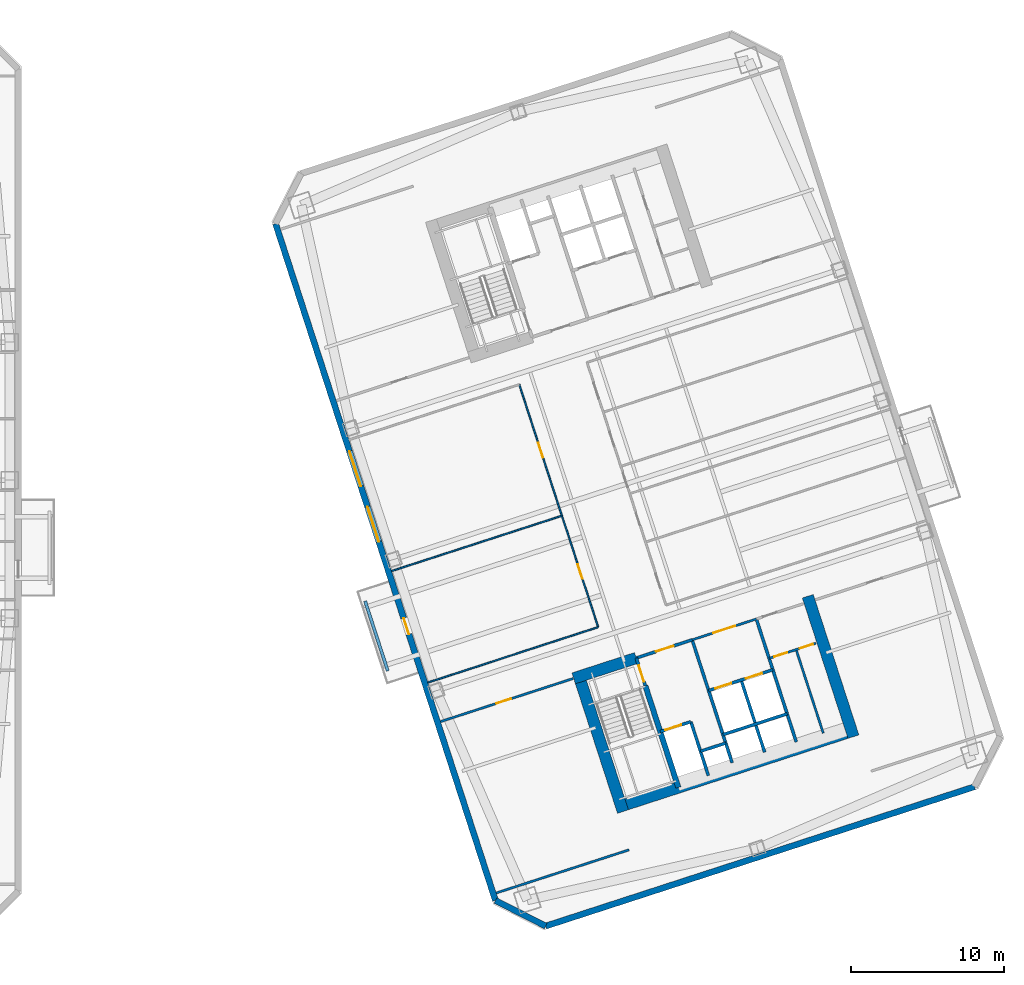
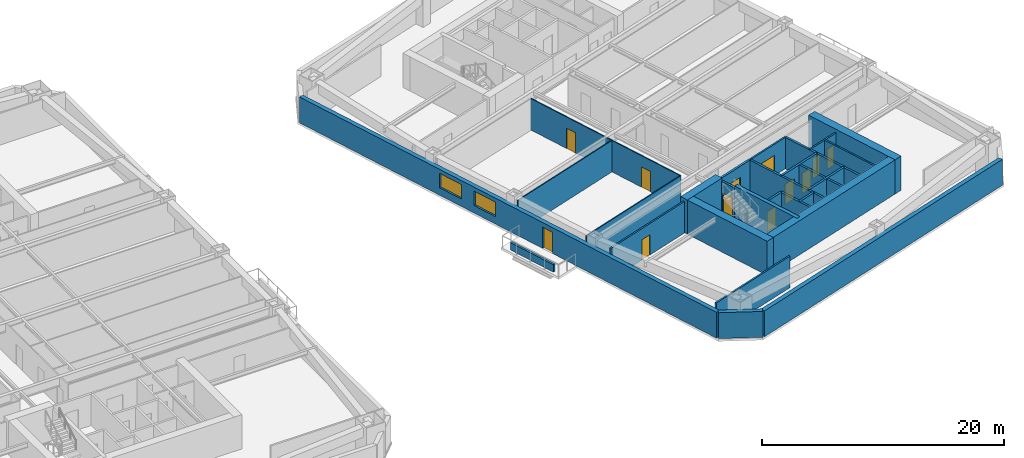
# One storey, part 8 of 15: 27 walls, 12 doors, 2 windows, 14 openings.
"""IFC4 building model written with IfcOpenShell, lengths in metres."""

from ifc_helpers import new_model, si_unit, direction, frame, frame_2d, origin, place, context, subcontext, project, spatial, rectangle, extrude, material, layer, layer_set, type_object, element, fill, save


model = new_model("IFC4")

# Units and contexts
model_context = context("Model", 3, precision=1e-05, world=origin(), true_north=direction((0.0, 1.0)))
body_context = subcontext(model_context, "Body", "Model", "MODEL_VIEW")
ifc_project = project(units=[si_unit("LENGTHUNIT", "METRE"), si_unit("AREAUNIT", "SQUARE_METRE"), si_unit("VOLUMEUNIT", "CUBIC_METRE"), si_unit("PLANEANGLEUNIT", "RADIAN"), si_unit("MASSUNIT", "GRAM", prefix="KILO")], contexts=[model_context])

# Site, building, storey
site_placement = place(None, origin())
site = spatial("IfcSite", under=ifc_project, at=site_placement, CompositionType="ELEMENT")
building_placement = place(site_placement, origin())
building = spatial("IfcBuilding", under=site, at=building_placement, Name="Qiaolan Cultural Towers", CompositionType="ELEMENT")
storey_placement = place(building_placement, frame((0.0, 0.0, 81.64990234375)))
storey = spatial("IfcBuildingStorey", under=building, at=storey_placement, Name="L20", CompositionType="ELEMENT", Elevation=81.64990234375)

# Walls
ifc_material_1 = material(Name="Concrete C50", Category="concrete")
ifc_layer_1 = layer(ifc_material_1, 0.35009765625)
ifc_layer_set_1 = layer_set([ifc_layer_1], Name="Concrete C50")
wall_type_1 = type_object("IfcWallType", Name="WL-CORE-350", PredefinedType="SHEAR", material=ifc_layer_set_1)
wall_1_placement = place(storey_placement, frame((90.486328125, 20.59423828125, 0.0), z_axis=(0.0, 0.0, 1.0), x_axis=(0.309020428229, -0.951055400562, 0.0)))
element("IfcWall", 1, at=wall_1_placement, inside=storey, type_object=wall_type_1, Name="L20 T2-CS Stair Core Dividing Web", PredefinedType="SHEAR", context=body_context, shape_type="SweptSolid", body=[
    extrude(rectangle(XDim=6.97998046875, YDim=0.35009765625, at=frame_2d((3.489990234375, 0.0))), origin(), (0.0, 0.0, 1.0), 3.4501953125),
])
ifc_material_2 = material(Name="Concrete C60", Category="concrete")
ifc_layer_2 = layer(ifc_material_2, 0.75)
ifc_layer_set_2 = layer_set([ifc_layer_2], Name="Concrete C60")
wall_type_2 = type_object("IfcWallType", Name="WL-CORE-750", PredefinedType="SHEAR", material=ifc_layer_set_2)
wall_2_placement = place(storey_placement, frame((88.55859375, 12.628662109375, 0.0), z_axis=(0.0, 0.0, 1.0), x_axis=(0.951056072937, 0.309018358888, 0.0)))
element("IfcWall", 2, at=wall_2_placement, inside=storey, type_object=wall_type_2, Name="L20 T2-CS Outer Core Shear Wall", PredefinedType="SHEAR", context=body_context, shape_type="SweptSolid", body=[
    extrude(rectangle(XDim=16.550048828125, YDim=0.75, at=frame_2d((8.27490234375, 0.0))), origin(), (0.0, 0.0, 1.0), 3.4501953125),
])
wall_3_placement = place(storey_placement, frame((86.05517578125, 21.54638671875, 0.0), z_axis=(0.0, 0.0, 1.0), x_axis=(0.309023585745, -0.951054374604, 0.0)))
element("IfcWall", 3, at=wall_3_placement, inside=storey, type_object=wall_type_2, Name="L20 T2-CS West Core Shear Wall", PredefinedType="SHEAR", context=body_context, shape_type="SweptSolid", body=[
    extrude(rectangle(XDim=9.6298828125, YDim=0.75, at=frame_2d((4.81494140625, 0.0))), origin(), (0.0, 0.0, 1.0), 3.4501953125),
])
wall_4_placement = place(storey_placement, frame((101.08203125, 26.428955078125, 0.0), z_axis=(0.0, 0.0, 1.0), x_axis=(0.309016134813, -0.951056795583, 0.0)))
element("IfcWall", 4, at=wall_4_placement, inside=storey, type_object=wall_type_2, Name="L20 T2-CS East Core Shear Wall", PredefinedType="SHEAR", context=body_context, shape_type="SweptSolid", body=[
    extrude(rectangle(XDim=9.630126953125, YDim=0.75, at=frame_2d((4.81494140625, 0.0))), origin(), (0.0, 0.0, 1.0), 3.4501953125),
])
wall_5_placement = place(storey_placement, frame((85.814453125, 21.073974609375, 0.0), z_axis=(0.0, 0.0, 1.0), x_axis=(0.95106580992, 0.308988390074, 0.0)))
element("IfcWall", 5, at=wall_5_placement, inside=storey, type_object=wall_type_2, Name="L20 T2-CS Stair Front Shear Wall", PredefinedType="SHEAR", context=body_context, shape_type="SweptSolid", body=[
    extrude(rectangle(XDim=4.295166015625, YDim=0.75, at=frame_2d((2.1474609375, 0.0))), origin(), (0.0, 0.0, 1.0), 3.4501953125),
])

# Wall, openings, door, windows
ifc_material_3 = material(Name="Precast Concrete C50 Honed Stone Pier", Category="masonry")
ifc_layer_3 = layer(ifc_material_3, 0.39990234375)
ifc_layer_set_3 = layer_set([ifc_layer_3], Name="Precast Concrete C50 Honed Stone Pier")
wall_type_3 = type_object("IfcWallType", Name="WL-EXT-PIER-400", PredefinedType="SOLIDWALL", material=ifc_layer_set_3)
wall_6_placement = place(storey_placement, frame((80.7158203125, 6.589599609375, 0.0), z_axis=(0.0, 0.0, 1.0), x_axis=(-0.309017542002, 0.95105633836, 0.0)))
wall_6 = element("IfcWall", 6, at=wall_6_placement, inside=storey, type_object=wall_type_3, Name="L20 East Tower Precast Pier Facade Wall F1", PredefinedType="SOLIDWALL", context=body_context, shape_type="SweptSolid", body=[
    extrude(rectangle(XDim=46.39990234375, YDim=0.39990234375, at=frame_2d((23.199951171875, 0.0))), origin(), (0.0, 0.0, 1.0), 2.610107421875),
])
opening_1_placement = place(wall_6_placement, frame((24.60009765625, 0.0, 0.75)))
opening_1 = element("IfcOpeningElement", 7, at=opening_1_placement, cuts=wall_6, Name="Opening W-02", PredefinedType="OPENING", context=body_context, shape_type="SweptSolid", body=[
    extrude(rectangle(XDim=2.39990234375, YDim=1.4599609375, at=frame_2d((1.199951171875, 0.72998046875))), frame((0.0, 0.2099609375, 0.0), z_axis=(0.0, -1.0, 0.0), x_axis=(1.0, 0.0, 0.0)), (0.0, 0.0, 1.0), 0.419921875),
])
opening_2_placement = place(wall_6_placement, frame((28.39990234375, 0.0, 0.75)))
opening_2 = element("IfcOpeningElement", 8, at=opening_2_placement, cuts=wall_6, Name="Opening W-02", PredefinedType="OPENING", context=body_context, shape_type="SweptSolid", body=[
    extrude(rectangle(XDim=2.39990234375, YDim=1.4599609375, at=frame_2d((1.199951171875, 0.72998046875))), frame((0.0, 0.2099609375, 0.0), z_axis=(0.0, -1.0, 0.0), x_axis=(1.0, 0.0, 0.0)), (0.0, 0.0, 1.0), 0.419921875),
])
opening_3_placement = place(wall_6_placement, frame((18.25, 0.0, 0.0)))
opening_3 = element("IfcOpeningElement", 9, at=opening_3_placement, cuts=wall_6, Name="Opening BD-01", PredefinedType="OPENING", context=body_context, shape_type="SweptSolid", body=[
    extrude(rectangle(XDim=1.10009765625, YDim=2.14990234375, at=frame_2d((0.550048828125, 1.074951171875))), frame((0.0, 0.2099609375, 0.0), z_axis=(0.0, -1.0, 0.0), x_axis=(1.0, 0.0, 0.0)), (0.0, 0.0, 1.0), 0.419921875),
])
ifc_material_4 = material(Name="Thermally Broken Aluminium Glazed Terrace Door", Category="aluminium")
door_type_1 = type_object("IfcDoorType", Name="DR-BAL-1100", OperationType="NOTDEFINED", PredefinedType="DOOR", material=ifc_material_4)
door_1_placement = place(opening_3_placement, origin())
door_1 = element("IfcDoor", 10, at=door_1_placement, inside=storey, type_object=door_type_1, Name="L20 T2 West Tree Balcony Door", OperationType="SINGLE_SWING_LEFT", OverallHeight=2.14990234375, OverallWidth=1.10009765625, PredefinedType="DOOR", context=body_context, shape_type="SweptSolid", body=[
    extrude(rectangle(XDim=1.10009765625, YDim=2.14990234375, at=frame_2d((0.550048828125, 1.074951171875))), frame((0.0, 0.02490234375, 0.0), z_axis=(0.0, -1.0, 0.0), x_axis=(1.0, 0.0, 0.0)), (0.0, 0.0, 1.0), 0.050048828125),
])
fill(opening_3, door_1)
ifc_material_5 = material(Name="Thermally Broken Aluminium Triple Low-E Glazing", Category="aluminium")
window_type = type_object("IfcWindowType", Name="WN-CHIC-2400", PartitioningType="SINGLE_PANEL", PredefinedType="WINDOW", material=ifc_material_5)
window_1_placement = place(opening_1_placement, origin())
window_1 = element("IfcWindow", 11, at=window_1_placement, inside=storey, type_object=window_type, Name="L20 T2 W Chicago Bay Window 1", OverallHeight=1.4599609375, OverallWidth=2.39990234375, PartitioningType="TRIPLE_PANEL_VERTICAL", PredefinedType="WINDOW", context=body_context, shape_type="SweptSolid", body=[
    extrude(rectangle(XDim=2.39990234375, YDim=1.4599609375, at=frame_2d((1.199951171875, 0.72998046875))), frame((0.0, 0.030029296875, 0.0), z_axis=(0.0, -1.0, 0.0), x_axis=(1.0, 0.0, 0.0)), (0.0, 0.0, 1.0), 0.06005859375),
])
fill(opening_1, window_1)
window_2_placement = place(opening_2_placement, origin())
window_2 = element("IfcWindow", 12, at=window_2_placement, inside=storey, type_object=window_type, Name="L20 T2 W Chicago Bay Window 2", OverallHeight=1.4599609375, OverallWidth=2.39990234375, PartitioningType="TRIPLE_PANEL_VERTICAL", PredefinedType="WINDOW", context=body_context, shape_type="SweptSolid", body=[
    extrude(rectangle(XDim=2.39990234375, YDim=1.4599609375, at=frame_2d((1.199951171875, 0.72998046875))), frame((0.0, 0.030029296875, 0.0), z_axis=(0.0, -1.0, 0.0), x_axis=(1.0, 0.0, 0.0)), (0.0, 0.0, 1.0), 0.06005859375),
])
fill(opening_2, window_2)

# Walls
wall_7_placement = place(storey_placement, frame((111.953125, 14.00537109375, 0.0), z_axis=(0.0, 0.0, 1.0), x_axis=(-0.95105505922, -0.309021478754, 0.0)))
element("IfcWall", 13, at=wall_7_placement, inside=storey, type_object=wall_type_3, Name="L20 East Tower Precast Pier Facade Wall F7", PredefinedType="SOLIDWALL", context=body_context, shape_type="SweptSolid", body=[
    extrude(rectangle(XDim=29.39990234375, YDim=0.39990234375, at=frame_2d((14.699951171875, 0.0))), origin(), (0.0, 0.0, 1.0), 2.610107421875),
])
wall_8_placement = place(storey_placement, frame((83.9921875, 4.920166015625, 0.0), z_axis=(0.0, 0.0, 1.0), x_axis=(-0.891001999643, 0.45399937955, 0.0)))
element("IfcWall", 14, at=wall_8_placement, inside=storey, type_object=wall_type_3, Name="L20 East Tower Precast Pier Facade Wall F8", PredefinedType="SOLIDWALL", context=body_context, shape_type="SweptSolid", body=[
    extrude(rectangle(XDim=3.67724609375, YDim=0.39990234375, at=frame_2d((1.838623046875, 0.0))), origin(), (0.0, 0.0, 1.0), 2.610107421875),
])

# Wall, opening, door
ifc_material_6 = material(Name="Concrete C35 Fire Wall", Category="concrete")
ifc_layer_4 = layer(ifc_material_6, 0.199951171875)
ifc_layer_set_4 = layer_set([ifc_layer_4], Name="Concrete C35 Fire Wall")
wall_type_4 = type_object("IfcWallType", Name="WL-FIRE-200", PredefinedType="PARTITIONING", material=ifc_layer_set_4)
wall_9_placement = place(storey_placement, frame((89.8994140625, 22.401123046875, 0.0), z_axis=(0.0, 0.0, 1.0), x_axis=(0.308932062672, -0.951084108086, 0.0)))
wall_9 = element("IfcWall", 15, at=wall_9_placement, inside=storey, type_object=wall_type_4, Name="L20 T2-CS Smokeproof Stair Entry Wall", PredefinedType="PARTITIONING", context=body_context, shape_type="SweptSolid", body=[
    extrude(rectangle(XDim=1.89990234375, YDim=0.199951171875, at=frame_2d((0.949951171875, 0.0))), origin(), (0.0, 0.0, 1.0), 3.175048828125),
])
opening_4_placement = place(wall_9_placement, frame((0.52001953125, 0.0, 0.0)))
opening_4 = element("IfcOpeningElement", 16, at=opening_4_placement, cuts=wall_9, Name="Opening FD-04", PredefinedType="OPENING", context=body_context, shape_type="SweptSolid", body=[
    extrude(rectangle(XDim=1.10009765625, YDim=2.050048828125, at=frame_2d((0.550048828125, 1.02490234375))), frame((0.0, 0.10986328125, 0.0), z_axis=(0.0, -1.0, 0.0), x_axis=(1.0, 0.0, 0.0)), (0.0, 0.0, 1.0), 0.219970703125),
])
ifc_material_7 = material(Name="Galvanized Steel Command Fire Door", Category="steel")
door_type_2 = type_object("IfcDoorType", Name="DR-FD90-1100", OperationType="NOTDEFINED", PredefinedType="DOOR", material=ifc_material_7)
door_2_placement = place(opening_4_placement, origin())
door_2 = element("IfcDoor", 17, at=door_2_placement, inside=storey, type_object=door_type_2, Name="L20 ST-E1 Smokeproof Stair Fire Door", OperationType="SINGLE_SWING_LEFT", OverallHeight=2.050048828125, OverallWidth=1.10009765625, PredefinedType="DOOR", context=body_context, shape_type="SweptSolid", body=[
    extrude(rectangle(XDim=1.10009765625, YDim=2.050048828125, at=frame_2d((0.550048828125, 1.02490234375))), frame((0.0, 0.02490234375, 0.0), z_axis=(0.0, -1.0, 0.0), x_axis=(1.0, 0.0, 0.0)), (0.0, 0.0, 1.0), 0.050048828125),
])
fill(opening_4, door_2)

# Wall
wall_10_placement = place(storey_placement, frame((93.541748046875, 23.584716796875, 0.0), z_axis=(0.0, 0.0, 1.0), x_axis=(0.309042196757, -0.951048327176, 0.0)))
element("IfcWall", 18, at=wall_10_placement, inside=storey, type_object=wall_type_4, Name="L20 T2-CS Firefighting Zone Wall", PredefinedType="PARTITIONING", context=body_context, shape_type="SweptSolid", body=[
    extrude(rectangle(XDim=8.429931640625, YDim=0.199951171875, at=frame_2d((4.21484375, 0.0))), origin(), (0.0, 0.0, 1.0), 3.175048828125),
])

# Wall, opening, door
wall_11_placement = place(storey_placement, frame((89.8994140625, 22.401123046875, 0.0), z_axis=(0.0, 0.0, 1.0), x_axis=(0.951046716504, 0.309047153403, 0.0)))
wall_11 = element("IfcWall", 19, at=wall_11_placement, inside=storey, type_object=wall_type_4, Name="L20 T2-CS Firefighting Lobby Front Wall", PredefinedType="PARTITIONING", context=body_context, shape_type="SweptSolid", body=[
    extrude(rectangle(XDim=3.829833984375, YDim=0.199951171875, at=frame_2d((1.9150390625, 0.0))), origin(), (0.0, 0.0, 1.0), 3.175048828125),
])
opening_5_placement = place(wall_11_placement, frame((1.35009765625, 0.0, 0.0)))
opening_5 = element("IfcOpeningElement", 20, at=opening_5_placement, cuts=wall_11, Name="Opening FD-03", PredefinedType="OPENING", context=body_context, shape_type="SweptSolid", body=[
    extrude(rectangle(XDim=1.199951171875, YDim=2.050048828125, at=frame_2d((0.60009765625, 1.02490234375))), frame((0.0, 0.10986328125, 0.0), z_axis=(0.0, -1.0, 0.0), x_axis=(1.0, 0.0, 0.0)), (0.0, 0.0, 1.0), 0.219970703125),
])
ifc_material_8 = material(Name="Galvanized Steel Smokeproof Lobby Fire Door", Category="steel")
door_type_3 = type_object("IfcDoorType", Name="DR-FD90-1200", OperationType="NOTDEFINED", PredefinedType="DOOR", material=ifc_material_8)
door_3_placement = place(opening_5_placement, origin())
door_3 = element("IfcDoor", 21, at=door_3_placement, inside=storey, type_object=door_type_3, Name="L20 FFL-E1 Firefighting Lobby Fire Door", OperationType="SINGLE_SWING_LEFT", OverallHeight=2.050048828125, OverallWidth=1.199951171875, PredefinedType="DOOR", context=body_context, shape_type="SweptSolid", body=[
    extrude(rectangle(XDim=1.199951171875, YDim=2.050048828125, at=frame_2d((0.60009765625, 1.02490234375))), frame((0.0, 0.02490234375, 0.0), z_axis=(0.0, -1.0, 0.0), x_axis=(1.0, 0.0, 0.0)), (0.0, 0.0, 1.0), 0.050048828125),
])
fill(opening_5, door_3)

wall_12_placement = place(storey_placement, frame((91.459716796875, 17.598388671875, 0.0), z_axis=(0.0, 0.0, 1.0), x_axis=(0.951062257173, 0.308999325213, 0.0)))
wall_12 = element("IfcWall", 22, at=wall_12_placement, inside=storey, type_object=wall_type_4, Name="L20 T2-CS Firefighting Shaft Front Wall", PredefinedType="PARTITIONING", context=body_context, shape_type="SweptSolid", body=[
    extrude(rectangle(XDim=2.10009765625, YDim=0.199951171875, at=frame_2d((1.050048828125, 0.0))), origin(), (0.0, 0.0, 1.0), 3.175048828125),
])
opening_6_placement = place(wall_12_placement, frame((0.35009765625, 0.0, 0.0)))
opening_6 = element("IfcOpeningElement", 23, at=opening_6_placement, cuts=wall_12, Name="Opening LD-01", PredefinedType="OPENING", context=body_context, shape_type="SweptSolid", body=[
    extrude(rectangle(XDim=1.10009765625, YDim=2.050048828125, at=frame_2d((0.550048828125, 1.02490234375))), frame((0.0, 0.10986328125, 0.0), z_axis=(0.0, -1.0, 0.0), x_axis=(1.0, 0.0, 0.0)), (0.0, 0.0, 1.0), 0.219970703125),
])
ifc_material_9 = material(Name="Brushed Stainless Steel S30408 Centre-Parting Lift Landing Door", Category="steel")
door_type_4 = type_object("IfcDoorType", Name="DR-LIFT-1100", OperationType="NOTDEFINED", PredefinedType="DOOR", material=ifc_material_9)
door_4_placement = place(opening_6_placement, origin())
door_4 = element("IfcDoor", 24, at=door_4_placement, inside=storey, type_object=door_type_4, Name="L20 FFL-E1 Firefighting Lift Landing Door", OperationType="DOUBLE_DOOR_SLIDING", OverallHeight=2.050048828125, OverallWidth=1.10009765625, PredefinedType="DOOR", context=body_context, shape_type="SweptSolid", body=[
    extrude(rectangle(XDim=1.10009765625, YDim=2.050048828125, at=frame_2d((0.550048828125, 1.02490234375))), frame((0.0, 0.02490234375, 0.0), z_axis=(0.0, -1.0, 0.0), x_axis=(1.0, 0.0, 0.0)), (0.0, 0.0, 1.0), 0.050048828125),
])
fill(opening_6, door_4)

# Walls
wall_13_placement = place(storey_placement, frame((93.45703125, 18.247314453125, 0.0), z_axis=(0.0, 0.0, 1.0), x_axis=(0.3089935693, -0.951064127245, 0.0)))
element("IfcWall", 25, at=wall_13_placement, inside=storey, type_object=wall_type_4, Name="L20 T2-CS Firefighting Hoistway East Wall", PredefinedType="PARTITIONING", context=body_context, shape_type="SweptSolid", body=[
    extrude(rectangle(XDim=3.7001953125, YDim=0.199951171875, at=frame_2d((1.85009765625, 0.0))), origin(), (0.0, 0.0, 1.0), 3.175048828125),
])
wall_14_placement = place(storey_placement, frame((94.08447265625, 16.316650390625, 0.0), z_axis=(0.0, 0.0, 1.0), x_axis=(0.951041328149, 0.309063734775, 0.0)))
element("IfcWall", 26, at=wall_14_placement, inside=storey, type_object=wall_type_4, Name="L20 T2-CS Pressurization Shaft Front Wall", PredefinedType="PARTITIONING", context=body_context, shape_type="SweptSolid", body=[
    extrude(rectangle(XDim=1.72998046875, YDim=0.199951171875, at=frame_2d((0.864990234375, 0.0))), origin(), (0.0, 0.0, 1.0), 3.175048828125),
])
wall_15_placement = place(storey_placement, frame((97.7265625, 24.9443359375, 0.0), z_axis=(0.0, 0.0, 1.0), x_axis=(0.309016001439, -0.951056838919, 0.0)))
element("IfcWall", 27, at=wall_15_placement, inside=storey, type_object=wall_type_4, Name="L20 T2-CS Lift Core East Wall", PredefinedType="PARTITIONING", context=body_context, shape_type="SweptSolid", body=[
    extrude(rectangle(XDim=8.429931640625, YDim=0.199951171875, at=frame_2d((4.21484375, 0.0))), origin(), (0.0, 0.0, 1.0), 3.175048828125),
])

# Wall, openings, doors
wall_16_placement = place(storey_placement, frame((94.6171875, 20.275146484375, 0.0), z_axis=(0.0, 0.0, 1.0), x_axis=(0.951058531764, 0.30901079133, 0.0)))
wall_16 = element("IfcWall", 28, at=wall_16_placement, inside=storey, type_object=wall_type_4, Name="L20 T2-CS Passenger Lift Shaft Front Wall", PredefinedType="PARTITIONING", context=body_context, shape_type="SweptSolid", body=[
    extrude(rectangle(XDim=4.39990234375, YDim=0.199951171875, at=frame_2d((2.199951171875, 0.0))), origin(), (0.0, 0.0, 1.0), 3.175048828125),
])
opening_7_placement = place(wall_16_placement, frame((0.449951171875, 0.0, 0.0)))
opening_7 = element("IfcOpeningElement", 29, at=opening_7_placement, cuts=wall_16, Name="Opening LD-01", PredefinedType="OPENING", context=body_context, shape_type="SweptSolid", body=[
    extrude(rectangle(XDim=1.10009765625, YDim=2.050048828125, at=frame_2d((0.550048828125, 1.02490234375))), frame((0.0, 0.10986328125, 0.0), z_axis=(0.0, -1.0, 0.0), x_axis=(1.0, 0.0, 0.0)), (0.0, 0.0, 1.0), 0.219970703125),
])
opening_8_placement = place(wall_16_placement, frame((2.550048828125, 0.0, 0.0)))
opening_8 = element("IfcOpeningElement", 30, at=opening_8_placement, cuts=wall_16, Name="Opening LD-01", PredefinedType="OPENING", context=body_context, shape_type="SweptSolid", body=[
    extrude(rectangle(XDim=1.10009765625, YDim=2.050048828125, at=frame_2d((0.550048828125, 1.02490234375))), frame((0.0, 0.10986328125, 0.0), z_axis=(0.0, -1.0, 0.0), x_axis=(1.0, 0.0, 0.0)), (0.0, 0.0, 1.0), 0.219970703125),
])
door_5_placement = place(opening_7_placement, origin())
door_5 = element("IfcDoor", 31, at=door_5_placement, inside=storey, type_object=door_type_4, Name="L20 Passenger Lift 1 Landing Door", OperationType="DOUBLE_DOOR_SLIDING", OverallHeight=2.050048828125, OverallWidth=1.10009765625, PredefinedType="DOOR", context=body_context, shape_type="SweptSolid", body=[
    extrude(rectangle(XDim=1.10009765625, YDim=2.050048828125, at=frame_2d((0.550048828125, 1.02490234375))), frame((0.0, 0.02490234375, 0.0), z_axis=(0.0, -1.0, 0.0), x_axis=(1.0, 0.0, 0.0)), (0.0, 0.0, 1.0), 0.050048828125),
])
fill(opening_7, door_5)
door_6_placement = place(opening_8_placement, origin())
door_6 = element("IfcDoor", 32, at=door_6_placement, inside=storey, type_object=door_type_4, Name="L20 Passenger Lift 2 Landing Door", OperationType="DOUBLE_DOOR_SLIDING", OverallHeight=2.050048828125, OverallWidth=1.10009765625, PredefinedType="DOOR", context=body_context, shape_type="SweptSolid", body=[
    extrude(rectangle(XDim=1.10009765625, YDim=2.050048828125, at=frame_2d((0.550048828125, 1.02490234375))), frame((0.0, 0.02490234375, 0.0), z_axis=(0.0, -1.0, 0.0), x_axis=(1.0, 0.0, 0.0)), (0.0, 0.0, 1.0), 0.050048828125),
])
fill(opening_8, door_6)

# Walls
wall_17_placement = place(storey_placement, frame((96.738037109375, 20.964111328125, 0.0), z_axis=(0.0, 0.0, 1.0), x_axis=(0.309042578481, -0.951048203135, 0.0)))
element("IfcWall", 33, at=wall_17_placement, inside=storey, type_object=wall_type_4, Name="L20 T2-CS Lift Shaft Divider Wall", PredefinedType="PARTITIONING", context=body_context, shape_type="SweptSolid", body=[
    extrude(rectangle(XDim=4.9501953125, YDim=0.199951171875, at=frame_2d((2.47509765625, 0.0))), origin(), (0.0, 0.0, 1.0), 3.175048828125),
])
wall_18_placement = place(storey_placement, frame((95.550537109375, 17.40283203125, 0.0), z_axis=(0.0, 0.0, 1.0), x_axis=(0.951058531764, 0.30901079133, 0.0)))
element("IfcWall", 34, at=wall_18_placement, inside=storey, type_object=wall_type_4, Name="L20 T2-CS Passenger Lift Shaft Back Wall", PredefinedType="PARTITIONING", context=body_context, shape_type="SweptSolid", body=[
    extrude(rectangle(XDim=4.39990234375, YDim=0.199951171875, at=frame_2d((2.199951171875, 0.0))), origin(), (0.0, 0.0, 1.0), 3.175048828125),
])
ifc_material_10 = material(Name="Acoustic Double-Glazed Partition Frame", Category="glass")
ifc_layer_5 = layer(ifc_material_10, 0.10009765625)
ifc_layer_set_5 = layer_set([ifc_layer_5], Name="Acoustic Double-Glazed Partition Frame")
wall_type_5 = type_object("IfcWallType", Name="WL-GLAZED-100", PredefinedType="MOVABLE", material=ifc_layer_set_5)
wall_19_placement = place(storey_placement, frame((76.307861328125, 20.802978515625, 0.0), z_axis=(0.0, 0.0, 1.0), x_axis=(0.951054504848, 0.309023184905, 0.0)))
element("IfcWall", 35, at=wall_19_placement, inside=storey, type_object=wall_type_5, Name="L20 T2 South Corridor Left Wall", PredefinedType="MOVABLE", context=body_context, shape_type="SweptSolid", body=[
    extrude(rectangle(XDim=11.67529296875, YDim=0.10009765625, at=frame_2d((5.837646484375, 0.0))), origin(), (0.0, 0.0, 1.0), 3.175048828125),
])

# Wall, openings, doors
wall_20_placement = place(storey_placement, frame((87.41162109375, 24.410888671875, 0.0), z_axis=(0.0, 0.0, 1.0), x_axis=(-0.309022042254, 0.951054876125, 0.0)))
wall_20 = element("IfcWall", 36, at=wall_20_placement, inside=storey, type_object=wall_type_5, Name="L20 T2 West Spine Wall", PredefinedType="MOVABLE", context=body_context, shape_type="SweptSolid", body=[
    extrude(rectangle(XDim=16.639892578125, YDim=0.10009765625, at=frame_2d((8.31982421875, 0.0))), origin(), (0.0, 0.0, 1.0), 3.175048828125),
])
opening_9_placement = place(wall_20_placement, frame((3.320068359375, 0.0, 0.0)))
opening_9 = element("IfcOpeningElement", 37, at=opening_9_placement, cuts=wall_20, Name="Opening ID-04", PredefinedType="OPENING", context=body_context, shape_type="SweptSolid", body=[
    extrude(rectangle(XDim=1.0, YDim=2.050048828125, at=frame_2d((0.5, 1.02490234375))), frame((0.0, 0.06005859375, 0.0), z_axis=(0.0, -1.0, 0.0), x_axis=(1.0, 0.0, 0.0)), (0.0, 0.0, 1.0), 0.1201171875),
])
opening_10_placement = place(wall_20_placement, frame((11.639892578125, 0.0, 0.0)))
opening_10 = element("IfcOpeningElement", 38, at=opening_10_placement, cuts=wall_20, Name="Opening ID-04", PredefinedType="OPENING", context=body_context, shape_type="SweptSolid", body=[
    extrude(rectangle(XDim=1.0, YDim=2.050048828125, at=frame_2d((0.5, 1.02490234375))), frame((0.0, 0.06005859375, 0.0), z_axis=(0.0, -1.0, 0.0), x_axis=(1.0, 0.0, 0.0)), (0.0, 0.0, 1.0), 0.1201171875),
])
ifc_material_11 = material(Name="Oak Veneer Acoustic Office Door", Category="timber")
door_type_5 = type_object("IfcDoorType", Name="DR-INT-1000", OperationType="NOTDEFINED", PredefinedType="DOOR", material=ifc_material_11)
door_7_placement = place(opening_9_placement, origin())
door_7 = element("IfcDoor", 39, at=door_7_placement, inside=storey, type_object=door_type_5, Name="L20 T2 Open Design Atelier Door", OperationType="SINGLE_SWING_LEFT", OverallHeight=2.050048828125, OverallWidth=1.0, PredefinedType="DOOR", context=body_context, shape_type="SweptSolid", body=[
    extrude(rectangle(XDim=1.0, YDim=2.050048828125, at=frame_2d((0.5, 1.02490234375))), frame((0.0, 0.02490234375, 0.0), z_axis=(0.0, -1.0, 0.0), x_axis=(1.0, 0.0, 0.0)), (0.0, 0.0, 1.0), 0.050048828125),
])
fill(opening_9, door_7)
door_8_placement = place(opening_10_placement, origin())
door_8 = element("IfcDoor", 40, at=door_8_placement, inside=storey, type_object=door_type_5, Name="L20 T2 Cultural Media Hall Door", OperationType="SINGLE_SWING_RIGHT", OverallHeight=2.050048828125, OverallWidth=1.0, PredefinedType="DOOR", context=body_context, shape_type="SweptSolid", body=[
    extrude(rectangle(XDim=1.0, YDim=2.050048828125, at=frame_2d((0.5, 1.02490234375))), frame((0.0, 0.02490234375, 0.0), z_axis=(0.0, -1.0, 0.0), x_axis=(1.0, 0.0, 0.0)), (0.0, 0.0, 1.0), 0.050048828125),
])
fill(opening_10, door_8)

# Wall
wall_21_placement = place(storey_placement, frame((73.947021484375, 28.069091796875, 0.0), z_axis=(0.0, 0.0, 1.0), x_axis=(0.951058653673, 0.309010416124, 0.0)))
element("IfcWall", 41, at=wall_21_placement, inside=storey, type_object=wall_type_5, Name="L20 T2 West Partition 1", PredefinedType="MOVABLE", context=body_context, shape_type="SweptSolid", body=[
    extrude(rectangle(XDim=11.6748046875, YDim=0.10009765625, at=frame_2d((5.83740234375, 0.0))), origin(), (0.0, 0.0, 1.0), 3.175048828125),
])

# Wall, opening, door
ifc_material_12 = material(Name="Autoclaved Aerated Concrete Block B06", Category="concrete")
ifc_layer_6 = layer(ifc_material_12, 0.14990234375)
ifc_layer_set_6 = layer_set([ifc_layer_6], Name="Autoclaved Aerated Concrete Block B06")
wall_type_6 = type_object("IfcWallType", Name="WL-PART-150", PredefinedType="PARTITIONING", material=ifc_layer_set_6)
wall_22_placement = place(storey_placement, frame((93.541748046875, 23.584716796875, 0.0), z_axis=(0.0, 0.0, 1.0), x_axis=(0.951063829732, 0.308994485023, 0.0)))
wall_22 = element("IfcWall", 42, at=wall_22_placement, inside=storey, type_object=wall_type_6, Name="L20 T2-CS Passenger Lift Lobby Front Wall", PredefinedType="PARTITIONING", context=body_context, shape_type="SweptSolid", body=[
    extrude(rectangle(XDim=4.400146484375, YDim=0.14990234375, at=frame_2d((2.2001953125, 0.0))), origin(), (0.0, 0.0, 1.0), 3.175048828125),
])
opening_11_placement = place(wall_22_placement, frame((1.449951171875, 0.0, 0.0)))
opening_11 = element("IfcOpeningElement", 43, at=opening_11_placement, cuts=wall_22, Name="Opening FD-05", PredefinedType="OPENING", context=body_context, shape_type="SweptSolid", body=[
    extrude(rectangle(XDim=1.5, YDim=2.050048828125, at=frame_2d((0.75, 1.02490234375))), frame((0.0, 0.0849609375, 0.0), z_axis=(0.0, -1.0, 0.0), x_axis=(1.0, 0.0, 0.0)), (0.0, 0.0, 1.0), 0.169921875),
])
ifc_material_13 = material(Name="Painted Steel Lift Lobby Fire Door", Category="steel")
door_type_6 = type_object("IfcDoorType", Name="DR-FD60-1500", OperationType="NOTDEFINED", PredefinedType="DOOR", material=ifc_material_13)
door_9_placement = place(opening_11_placement, origin())
door_9 = element("IfcDoor", 44, at=door_9_placement, inside=storey, type_object=door_type_6, Name="L20 Passenger Lift Lobby Entrance", OperationType="SINGLE_SWING_LEFT", OverallHeight=2.050048828125, OverallWidth=1.5, PredefinedType="DOOR", context=body_context, shape_type="SweptSolid", body=[
    extrude(rectangle(XDim=1.5, YDim=2.050048828125, at=frame_2d((0.75, 1.02490234375))), frame((0.0, 0.02490234375, 0.0), z_axis=(0.0, -1.0, 0.0), x_axis=(1.0, 0.0, 0.0)), (0.0, 0.0, 1.0), 0.050048828125),
])
fill(opening_11, door_9)

# Wall, openings, doors
wall_23_placement = place(storey_placement, frame((98.560791015625, 22.37646484375, 0.0), z_axis=(0.0, 0.0, 1.0), x_axis=(0.95104415986, 0.309055020985, 0.0)))
wall_23 = element("IfcWall", 45, at=wall_23_placement, inside=storey, type_object=wall_type_6, Name="L20 T2-CS Restroom Vestibule Wall", PredefinedType="PARTITIONING", context=body_context, shape_type="SweptSolid", body=[
    extrude(rectangle(XDim=3.2001953125, YDim=0.14990234375, at=frame_2d((1.60009765625, 0.0))), origin(), (0.0, 0.0, 1.0), 3.175048828125),
])
opening_12_placement = place(wall_23_placement, frame((0.35009765625, 0.0, 0.0)))
opening_12 = element("IfcOpeningElement", 46, at=opening_12_placement, cuts=wall_23, Name="Opening ID-06", PredefinedType="OPENING", context=body_context, shape_type="SweptSolid", body=[
    extrude(rectangle(XDim=0.89990234375, YDim=2.050048828125, at=frame_2d((0.449951171875, 1.02490234375))), frame((0.0, 0.0849609375, 0.0), z_axis=(0.0, -1.0, 0.0), x_axis=(1.0, 0.0, 0.0)), (0.0, 0.0, 1.0), 0.169921875),
])
opening_13_placement = place(wall_23_placement, frame((2.10009765625, 0.0, 0.0)))
opening_13 = element("IfcOpeningElement", 47, at=opening_13_placement, cuts=wall_23, Name="Opening ID-06", PredefinedType="OPENING", context=body_context, shape_type="SweptSolid", body=[
    extrude(rectangle(XDim=0.89990234375, YDim=2.050048828125, at=frame_2d((0.449951171875, 1.02490234375))), frame((0.0, 0.0849609375, 0.0), z_axis=(0.0, -1.0, 0.0), x_axis=(1.0, 0.0, 0.0)), (0.0, 0.0, 1.0), 0.169921875),
])
ifc_material_14 = material(Name="Fire-Rated Laminate Core Service Door", Category="timber")
door_type_7 = type_object("IfcDoorType", Name="DR-INT-900", OperationType="NOTDEFINED", PredefinedType="DOOR", material=ifc_material_14)
door_10_placement = place(opening_12_placement, origin())
door_10 = element("IfcDoor", 48, at=door_10_placement, inside=storey, type_object=door_type_7, Name="L20 Men Restroom Door", OperationType="SINGLE_SWING_LEFT", OverallHeight=2.050048828125, OverallWidth=0.89990234375, PredefinedType="DOOR", context=body_context, shape_type="SweptSolid", body=[
    extrude(rectangle(XDim=0.89990234375, YDim=2.050048828125, at=frame_2d((0.449951171875, 1.02490234375))), frame((0.0, 0.02490234375, 0.0), z_axis=(0.0, -1.0, 0.0), x_axis=(1.0, 0.0, 0.0)), (0.0, 0.0, 1.0), 0.050048828125),
])
fill(opening_12, door_10)
door_11_placement = place(opening_13_placement, origin())
door_11 = element("IfcDoor", 49, at=door_11_placement, inside=storey, type_object=door_type_7, Name="L20 Accessible & Women Restroom Door", OperationType="SINGLE_SWING_RIGHT", OverallHeight=2.050048828125, OverallWidth=0.89990234375, PredefinedType="DOOR", context=body_context, shape_type="SweptSolid", body=[
    extrude(rectangle(XDim=0.89990234375, YDim=2.050048828125, at=frame_2d((0.449951171875, 1.02490234375))), frame((0.0, 0.02490234375, 0.0), z_axis=(0.0, -1.0, 0.0), x_axis=(1.0, 0.0, 0.0)), (0.0, 0.0, 1.0), 0.050048828125),
])
fill(opening_13, door_11)

# Walls
wall_24_placement = place(storey_placement, frame((100.3203125, 22.9482421875, 0.0), z_axis=(0.0, 0.0, 1.0), x_axis=(0.309035009867, -0.951050662518, 0.0)))
element("IfcWall", 50, at=wall_24_placement, inside=storey, type_object=wall_type_6, Name="L20 T2-CS Restroom Divider Wall", PredefinedType="PARTITIONING", context=body_context, shape_type="SweptSolid", body=[
    extrude(rectangle(XDim=5.72998046875, YDim=0.14990234375, at=frame_2d((2.864990234375, 0.0))), origin(), (0.0, 0.0, 1.0), 3.175048828125),
])
wall_25_placement = place(storey_placement, frame((80.76708984375, 7.079345703125, 0.0), z_axis=(0.0, 0.0, 1.0), x_axis=(0.951057133767, 0.309015093986, 0.0)))
element("IfcWall", 51, at=wall_25_placement, inside=storey, type_object=wall_type_6, Name="L20 T2 Flank Wall FLK-SW", PredefinedType="PARTITIONING", context=body_context, shape_type="SweptSolid", body=[
    extrude(rectangle(XDim=9.099853515625, YDim=0.14990234375, at=frame_2d((4.5498046875, 0.0))), origin(), (0.0, 0.0, 1.0), 3.175048828125),
])

# Wall, opening, door
wall_26_placement = place(storey_placement, frame((77.13623046875, 18.254150390625, 0.0), z_axis=(0.0, 0.0, 1.0), x_axis=(0.951057133767, 0.309015093986, 0.0)))
wall_26 = element("IfcWall", 52, at=wall_26_placement, inside=storey, type_object=wall_type_6, Name="L20 T2 Flank Front FLK-SW", PredefinedType="PARTITIONING", context=body_context, shape_type="SweptSolid", body=[
    extrude(rectangle(XDim=9.099853515625, YDim=0.14990234375, at=frame_2d((4.5498046875, 0.0))), origin(), (0.0, 0.0, 1.0), 3.175048828125),
])
opening_14_placement = place(wall_26_placement, frame((3.822021484375, 0.0, 0.0)))
opening_14 = element("IfcOpeningElement", 53, at=opening_14_placement, cuts=wall_26, Name="Opening ID-04", PredefinedType="OPENING", context=body_context, shape_type="SweptSolid", body=[
    extrude(rectangle(XDim=1.0, YDim=2.050048828125, at=frame_2d((0.5, 1.02490234375))), frame((0.0, 0.0849609375, 0.0), z_axis=(0.0, -1.0, 0.0), x_axis=(1.0, 0.0, 0.0)), (0.0, 0.0, 1.0), 0.169921875),
])
door_12_placement = place(opening_14_placement, origin())
door_12 = element("IfcDoor", 54, at=door_12_placement, inside=storey, type_object=door_type_5, Name="L20 T2 Corner Studio Door", OperationType="SINGLE_SWING_LEFT", OverallHeight=2.050048828125, OverallWidth=1.0, PredefinedType="DOOR", context=body_context, shape_type="SweptSolid", body=[
    extrude(rectangle(XDim=1.0, YDim=2.050048828125, at=frame_2d((0.5, 1.02490234375))), frame((0.0, 0.02490234375, 0.0), z_axis=(0.0, -1.0, 0.0), x_axis=(1.0, 0.0, 0.0)), (0.0, 0.0, 1.0), 0.050048828125),
])
fill(opening_14, door_12)

# Wall
ifc_material_15 = material(Name="Precast Concrete C45 Tree Planter Upstand", Category="concrete")
ifc_layer_7 = layer(ifc_material_15, 0.199951171875)
ifc_layer_set_7 = layer_set([ifc_layer_7], Name="Precast Concrete C45 Tree Planter Upstand")
wall_type_7 = type_object("IfcWallType", Name="WL-PLANTER-200", PredefinedType="PARAPET", material=ifc_layer_set_7)
wall_27_placement = place(storey_placement, frame((73.698486328125, 21.55322265625, 0.0), z_axis=(0.0, 0.0, 1.0), x_axis=(-0.309032019345, 0.951051634255, 0.0)))
element("IfcWall", 55, at=wall_27_placement, inside=storey, type_object=wall_type_7, Name="L20 T2 Tree Balcony Soil Planter Box W", PredefinedType="PARAPET", context=body_context, shape_type="SweptSolid", body=[
    extrude(rectangle(XDim=4.800048828125, YDim=0.199951171875, at=frame_2d((2.39990234375, 0.0))), origin(), (0.0, 0.0, 1.0), 0.75),
])

save(model, "model.ifc")
